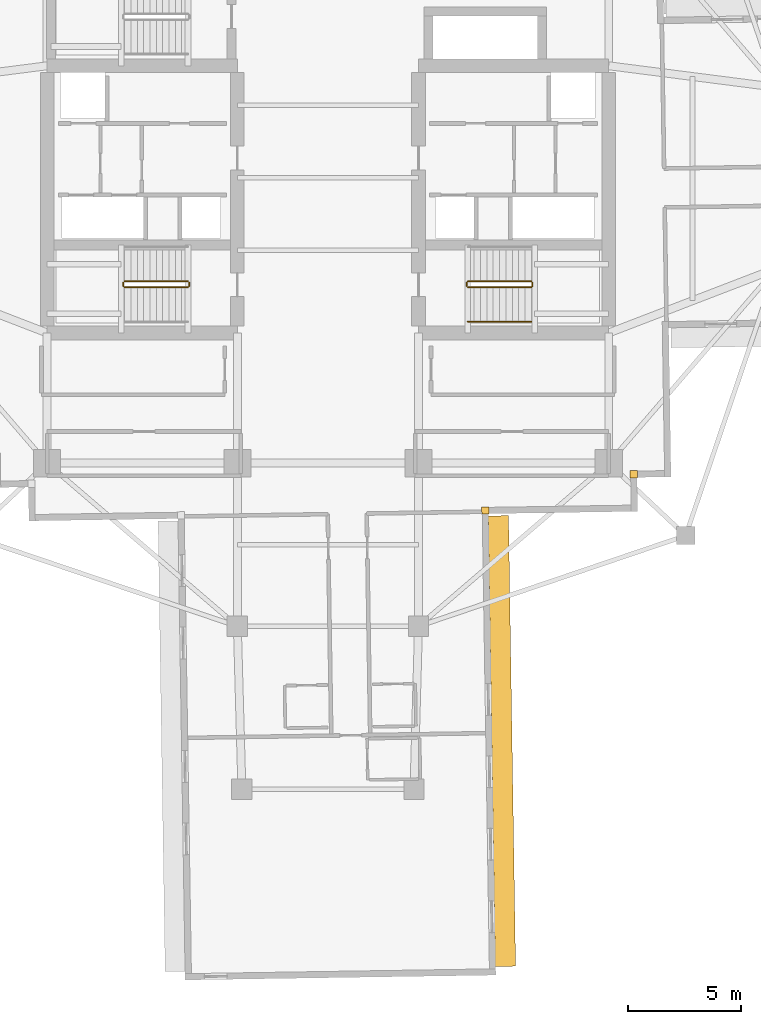
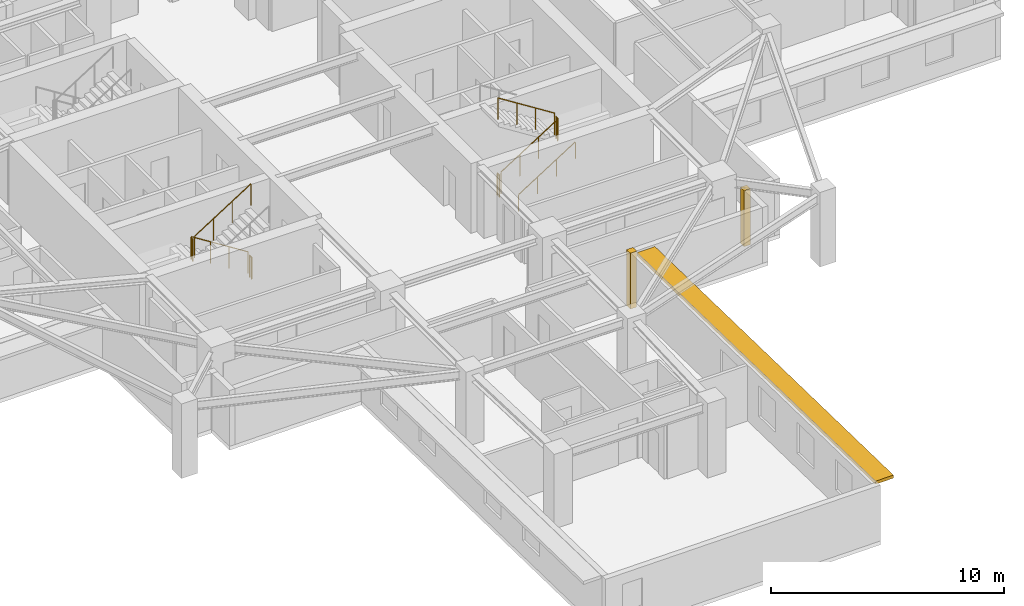
# One storey, part 10 of 13: 9 railings, 2 coverings, 1 shading device.
"""IFC4 building model written with IfcOpenShell, lengths in metres."""

from ifc_helpers import new_model, si_unit, direction, frame, origin, origin_2d, place, context, subcontext, project, spatial, rectangle, circle, extrude, material, layer, layer_set, type_object, element, save


model = new_model("IFC4")

# Units and contexts
model_context = context("Model", 3, precision=1e-05, world=origin(), true_north=direction((0.0, 1.0)))
body_context = subcontext(model_context, "Body", "Model", "MODEL_VIEW")
ifc_project = project(units=[si_unit("LENGTHUNIT", "METRE"), si_unit("AREAUNIT", "SQUARE_METRE"), si_unit("VOLUMEUNIT", "CUBIC_METRE"), si_unit("PLANEANGLEUNIT", "RADIAN"), si_unit("MASSUNIT", "GRAM", prefix="KILO")], contexts=[model_context])

# Site, building, storey
site_placement = place(None, origin())
site = spatial("IfcSite", under=ifc_project, at=site_placement, CompositionType="ELEMENT")
building_placement = place(site_placement, origin())
building = spatial("IfcBuilding", under=site, at=building_placement, Name="Qingluan Cross Belvedere", CompositionType="ELEMENT")
storey_placement = place(building_placement, frame((0.0, 0.0, 187.800048828125)))
storey = spatial("IfcBuildingStorey", under=building, at=storey_placement, Name="L47", CompositionType="ELEMENT", Elevation=187.800048828125)

# Coverings
ifc_material_1 = material(Name="Precast concrete C45", Category="concrete")
ifc_layer_1 = layer(ifc_material_1, 0.1201171875, Name="ConcreteSpandrelCladding_120")
ifc_layer_set_1 = layer_set([ifc_layer_1], Name="Precast concrete C45")
covering_type = type_object("IfcCoveringType", Name="ConcreteSpandrelCladding_120", PredefinedType="CLADDING", material=ifc_layer_set_1)
for number, where, z_axis, x_axis, name in (
    (1, (13.50732421875, -13.089599609375, 0.0), (0.0, 0.0, 1.0), (0.999876632482, 0.015707317312, 0.0), "Corner closure L47-SE1"),
    (2, (6.95166015625, -14.692626953125, 0.0), (0.0, 0.0, 1.0), (0.999876632482, 0.015707317312, 0.0), "Corner closure L47-SE2"),
):
    element("IfcCovering", number, at=place(storey_placement, frame(where, z_axis=z_axis, x_axis=x_axis)), inside=storey, type_object=covering_type, Name=name, PredefinedType="CLADDING", context=body_context, shape_type="SweptSolid", body=[
        extrude(rectangle(XDim=0.320068359375, YDim=0.320068359375, at=origin_2d()), origin(), (0.0, 0.0, 1.0), 2.919921875),
    ])

# Shading device
ifc_material_2 = material(Name="Precast concrete C45", Category="concrete")
ifc_layer_2 = layer(ifc_material_2, 0.159912109375, Name="ConcreteSunshadeBand_900")
ifc_layer_set_2 = layer_set([ifc_layer_2], Name="Precast concrete C45")
shading_device_type = type_object("IfcShadingDeviceType", Name="ConcreteSunshadeBand_900", PredefinedType="USERDEFINED", material=ifc_layer_set_2)
shading_device_placement = place(storey_placement, frame((7.681640625, -24.872314453125, 2.740234375), z_axis=(0.0, 0.0, 1.0), x_axis=(-0.015711457647, 0.999876567432, 0.0)))
element("IfcShadingDevice", 3, at=shading_device_placement, inside=storey, type_object=shading_device_type, Name="Concrete SUNSHADE L47-SB", ObjectType="SUNSHADE", PredefinedType="USERDEFINED", context=body_context, shape_type="SweptSolid", body=[
    extrude(rectangle(XDim=19.89990234375, YDim=0.89990234375, at=origin_2d()), origin(), (0.0, 0.0, 1.0), 0.159912109375),
])

# Railings
ifc_material_3 = material(Name="Brushed stainless steel tubular handrail", Category="steel")
railing_type_1 = type_object("IfcRailingType", Name="StairPitchHandrail_900", PredefinedType="HANDRAIL", material=ifc_material_3)
railing_1_placement = place(storey_placement, frame((6.179931640625, -6.35009765625, 0.17724609375)))
element("IfcRailing", 4, at=railing_1_placement, inside=storey, type_object=railing_type_1, Name="L47 ST2 stair handrail 1", PredefinedType="HANDRAIL", context=body_context, shape_type="SweptSolid", body=[
    extrude(circle(Radius=0.02392578125, at=origin_2d()), frame((0.0, 0.0, 0.8759765625), z_axis=(0.844908973607, 0.0, 0.534910110503), x_axis=(0.0, 1.0, 0.0)), (0.0, 0.0, 1.0), 3.31396484375),
    extrude(circle(Radius=0.02099609375, at=origin_2d()), origin(), (0.0, 0.0, 1.0), 0.851806640625),
    extrude(circle(Radius=0.02099609375, at=origin_2d()), frame((0.933349609375, 0.0, 0.5908203125)), (0.0, 0.0, 1.0), 0.851806640625),
    extrude(circle(Radius=0.02099609375, at=origin_2d()), frame((1.86669921875, 0.0, 1.181884765625)), (0.0, 0.0, 1.0), 0.851806640625),
    extrude(circle(Radius=0.02099609375, at=origin_2d()), frame((2.800048828125, 0.0, 1.772705078125)), (0.0, 0.0, 1.0), 0.851806640625),
])
ifc_material_4 = material(Name="Painted steel stair well guard", Category="steel")
railing_type_2 = type_object("IfcRailingType", Name="StairWellGuard_1150", PredefinedType="BALUSTRADE", material=ifc_material_4)
railing_2_placement = place(storey_placement, frame((-6.179931640625, -4.570068359375, 0.17724609375)))
element("IfcRailing", 5, at=railing_2_placement, inside=storey, type_object=railing_type_2, Name="L47 ST1 stair guard 1", PredefinedType="BALUSTRADE", context=body_context, shape_type="SweptSolid", body=[
    extrude(circle(Radius=0.02392578125, at=origin_2d()), frame((0.0, 0.0, 1.1259765625), z_axis=(-0.844908973607, 0.0, 0.534910110503), x_axis=(0.0, -1.0, 0.0)), (0.0, 0.0, 1.0), 3.31396484375),
    extrude(circle(Radius=0.02099609375, at=origin_2d()), origin(), (0.0, 0.0, 1.0), 1.101806640625),
    extrude(circle(Radius=0.02099609375, at=origin_2d()), frame((-0.933349609375, 0.0, 0.5908203125)), (0.0, 0.0, 1.0), 1.101806640625),
    extrude(circle(Radius=0.02099609375, at=origin_2d()), frame((-1.86669921875, 0.0, 1.181884765625)), (0.0, 0.0, 1.0), 1.101806640625),
    extrude(circle(Radius=0.02099609375, at=origin_2d()), frame((-2.800048828125, 0.0, 1.772705078125)), (0.0, 0.0, 1.0), 1.101806640625),
])
railing_3_placement = place(storey_placement, frame((-9.030029296875, -4.6201171875, 1.949951171875)))
element("IfcRailing", 6, at=railing_3_placement, inside=storey, type_object=railing_type_2, Name="L47 ST1 stair guard 2", PredefinedType="BALUSTRADE", context=body_context, shape_type="SweptSolid", body=[
    extrude(circle(Radius=0.02392578125, at=origin_2d()), frame((0.0, 0.0, 1.1259765625), z_axis=(0.0, -1.0, 0.0), x_axis=(1.0, 0.0, 0.0)), (0.0, 0.0, 1.0), 0.159912109375),
    extrude(circle(Radius=0.02099609375, at=origin_2d()), origin(), (0.0, 0.0, 1.0), 1.101806640625),
    extrude(circle(Radius=0.02099609375, at=origin_2d()), frame((0.0, -0.159912109375, 0.0)), (0.0, 0.0, 1.0), 1.101806640625),
])
railing_4_placement = place(storey_placement, frame((-8.97998046875, -4.830078125, 2.127197265625)))
element("IfcRailing", 7, at=railing_4_placement, inside=storey, type_object=railing_type_2, Name="L47 ST1 stair guard 3", PredefinedType="BALUSTRADE", context=body_context, shape_type="SweptSolid", body=[
    extrude(circle(Radius=0.02392578125, at=origin_2d()), frame((0.0, 0.0, 1.1259765625), z_axis=(0.844908973607, 0.0, 0.534910110503), x_axis=(0.0, 1.0, 0.0)), (0.0, 0.0, 1.0), 3.31396484375),
    extrude(circle(Radius=0.02099609375, at=origin_2d()), origin(), (0.0, 0.0, 1.0), 1.101806640625),
    extrude(circle(Radius=0.02099609375, at=origin_2d()), frame((0.933349609375, 0.0, 0.5908203125)), (0.0, 0.0, 1.0), 1.101806640625),
    extrude(circle(Radius=0.02099609375, at=origin_2d()), frame((1.86669921875, 0.0, 1.181884765625)), (0.0, 0.0, 1.0), 1.101806640625),
    extrude(circle(Radius=0.02099609375, at=origin_2d()), frame((2.800048828125, 0.0, 1.772705078125)), (0.0, 0.0, 1.0), 1.101806640625),
])
railing_5_placement = place(storey_placement, frame((-6.1298828125, -4.6201171875, 0.0)))
element("IfcRailing", 8, at=railing_5_placement, inside=storey, type_object=railing_type_2, Name="L47 ST1 stair guard 4", PredefinedType="BALUSTRADE", context=body_context, shape_type="SweptSolid", body=[
    extrude(circle(Radius=0.02392578125, at=origin_2d()), frame((0.0, 0.0, 1.1259765625), z_axis=(0.0, -1.0, 0.0), x_axis=(1.0, 0.0, 0.0)), (0.0, 0.0, 1.0), 0.159912109375),
    extrude(circle(Radius=0.02099609375, at=origin_2d()), origin(), (0.0, 0.0, 1.0), 1.101806640625),
    extrude(circle(Radius=0.02099609375, at=origin_2d()), frame((0.0, -0.159912109375, 0.0)), (0.0, 0.0, 1.0), 1.101806640625),
])
railing_6_placement = place(storey_placement, frame((6.179931640625, -4.830078125, 0.17724609375)))
element("IfcRailing", 9, at=railing_6_placement, inside=storey, type_object=railing_type_2, Name="L47 ST2 stair guard 1", PredefinedType="BALUSTRADE", context=body_context, shape_type="SweptSolid", body=[
    extrude(circle(Radius=0.02392578125, at=origin_2d()), frame((0.0, 0.0, 1.1259765625), z_axis=(0.844908973607, 0.0, 0.534910110503), x_axis=(0.0, 1.0, 0.0)), (0.0, 0.0, 1.0), 3.31396484375),
    extrude(circle(Radius=0.02099609375, at=origin_2d()), origin(), (0.0, 0.0, 1.0), 1.101806640625),
    extrude(circle(Radius=0.02099609375, at=origin_2d()), frame((0.933349609375, 0.0, 0.5908203125)), (0.0, 0.0, 1.0), 1.101806640625),
    extrude(circle(Radius=0.02099609375, at=origin_2d()), frame((1.86669921875, 0.0, 1.181884765625)), (0.0, 0.0, 1.0), 1.101806640625),
    extrude(circle(Radius=0.02099609375, at=origin_2d()), frame((2.800048828125, 0.0, 1.772705078125)), (0.0, 0.0, 1.0), 1.101806640625),
])
railing_7_placement = place(storey_placement, frame((9.030029296875, -4.780029296875, 1.949951171875)))
element("IfcRailing", 10, at=railing_7_placement, inside=storey, type_object=railing_type_2, Name="L47 ST2 stair guard 2", PredefinedType="BALUSTRADE", context=body_context, shape_type="SweptSolid", body=[
    extrude(circle(Radius=0.02392578125, at=origin_2d()), frame((0.0, 0.0, 1.1259765625), z_axis=(0.0, 1.0, 0.0), x_axis=(-1.0, 0.0, 0.0)), (0.0, 0.0, 1.0), 0.159912109375),
    extrude(circle(Radius=0.02099609375, at=origin_2d()), origin(), (0.0, 0.0, 1.0), 1.101806640625),
    extrude(circle(Radius=0.02099609375, at=origin_2d()), frame((0.0, 0.159912109375, 0.0)), (0.0, 0.0, 1.0), 1.101806640625),
])
railing_8_placement = place(storey_placement, frame((8.97998046875, -4.570068359375, 2.127197265625)))
element("IfcRailing", 11, at=railing_8_placement, inside=storey, type_object=railing_type_2, Name="L47 ST2 stair guard 3", PredefinedType="BALUSTRADE", context=body_context, shape_type="SweptSolid", body=[
    extrude(circle(Radius=0.02392578125, at=origin_2d()), frame((0.0, 0.0, 1.1259765625), z_axis=(-0.844908973607, 0.0, 0.534910110503), x_axis=(0.0, -1.0, 0.0)), (0.0, 0.0, 1.0), 3.31396484375),
    extrude(circle(Radius=0.02099609375, at=origin_2d()), origin(), (0.0, 0.0, 1.0), 1.101806640625),
    extrude(circle(Radius=0.02099609375, at=origin_2d()), frame((-0.933349609375, 0.0, 0.5908203125)), (0.0, 0.0, 1.0), 1.101806640625),
    extrude(circle(Radius=0.02099609375, at=origin_2d()), frame((-1.86669921875, 0.0, 1.181884765625)), (0.0, 0.0, 1.0), 1.101806640625),
    extrude(circle(Radius=0.02099609375, at=origin_2d()), frame((-2.800048828125, 0.0, 1.772705078125)), (0.0, 0.0, 1.0), 1.101806640625),
])
railing_9_placement = place(storey_placement, frame((6.1298828125, -4.780029296875, 0.0)))
element("IfcRailing", 12, at=railing_9_placement, inside=storey, type_object=railing_type_2, Name="L47 ST2 stair guard 4", PredefinedType="BALUSTRADE", context=body_context, shape_type="SweptSolid", body=[
    extrude(circle(Radius=0.02392578125, at=origin_2d()), frame((0.0, 0.0, 1.1259765625), z_axis=(0.0, 1.0, 0.0), x_axis=(-1.0, 0.0, 0.0)), (0.0, 0.0, 1.0), 0.159912109375),
    extrude(circle(Radius=0.02099609375, at=origin_2d()), origin(), (0.0, 0.0, 1.0), 1.101806640625),
    extrude(circle(Radius=0.02099609375, at=origin_2d()), frame((0.0, 0.159912109375, 0.0)), (0.0, 0.0, 1.0), 1.101806640625),
])

save(model, "model.ifc")
